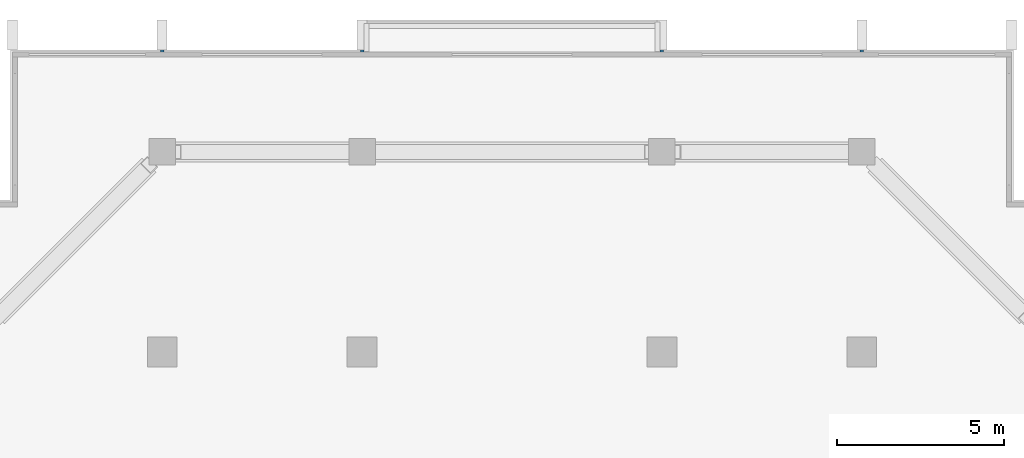
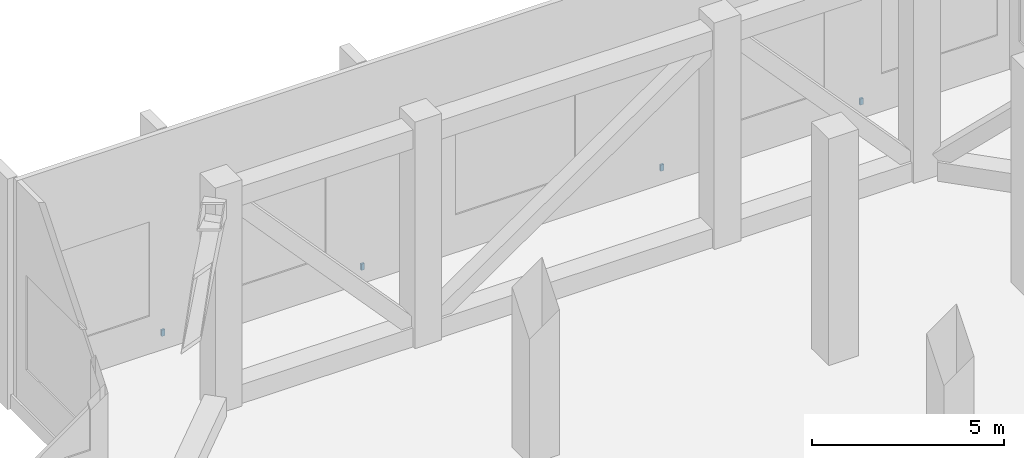
# One storey, part 7 of 9: 4 discrete accessories.
"""IFC4 building model written with IfcOpenShell, lengths in metres."""

from ifc_helpers import new_model, si_unit, direction, frame, origin, origin_2d, place, context, subcontext, project, spatial, rectangle, extrude, material, type_object, element, save


model = new_model("IFC4")

# Units and contexts
model_context = context("Model", 3, precision=1e-05, world=origin(), true_north=direction((0.0, 1.0)))
body_context = subcontext(model_context, "Body", "Model", "MODEL_VIEW")
ifc_project = project(units=[si_unit("LENGTHUNIT", "METRE"), si_unit("AREAUNIT", "SQUARE_METRE"), si_unit("VOLUMEUNIT", "CUBIC_METRE"), si_unit("PLANEANGLEUNIT", "RADIAN"), si_unit("MASSUNIT", "GRAM", prefix="KILO")], contexts=[model_context])

# Site, building, storey
site_placement = place(None, origin())
site = spatial("IfcSite", under=ifc_project, at=site_placement, CompositionType="ELEMENT")
building_placement = place(site_placement, origin())
building = spatial("IfcBuilding", under=site, at=building_placement, Name="Finial Court Residences", CompositionType="ELEMENT")
storey_placement = place(building_placement, frame((0.0, 0.0, 248.300048828125)))
storey = spatial("IfcBuildingStorey", under=building, at=storey_placement, Name="L63", CompositionType="ELEMENT", Elevation=248.300048828125)

# Discrete accessories
ifc_material = material(Name="Stainless steel 316", Category="steel")
discrete_accessory_type = type_object("IfcDiscreteAccessoryType", Name="Fin bracket, stainless steel 100 x 60 x 200", PredefinedType="BRACKET", material=ifc_material)
for number, where, z_axis, x_axis, name in (
    (1, (-10.5, 16.530029296875, 0.2998046875), (0.0, 0.0, 1.0), (1.0, 0.0, 0.0), "E-L63-FIN-N2-BRK"),
    (2, (-4.5, 16.530029296875, 0.2998046875), (0.0, 0.0, 1.0), (1.0, 0.0, 0.0), "E-L63-FIN-N3-BRK"),
    (3, (4.5, 16.530029296875, 0.2998046875), (0.0, 0.0, 1.0), (1.0, 0.0, 0.0), "E-L63-FIN-N4-BRK"),
    (4, (10.5, 16.530029296875, 0.2998046875), (0.0, 0.0, 1.0), (1.0, 0.0, 0.0), "E-L63-FIN-N5-BRK"),
):
    element("IfcDiscreteAccessory", number, at=place(storey_placement, frame(where, z_axis=z_axis, x_axis=x_axis)), inside=storey, type_object=discrete_accessory_type, Name=name, PredefinedType="BRACKET", context=body_context, shape_type="SweptSolid", body=[
        extrude(rectangle(XDim=0.10009765625, YDim=0.06005859375, at=origin_2d()), origin(), (0.0, 0.0, 1.0), 0.199951171875),
    ])

save(model, "model.ifc")
